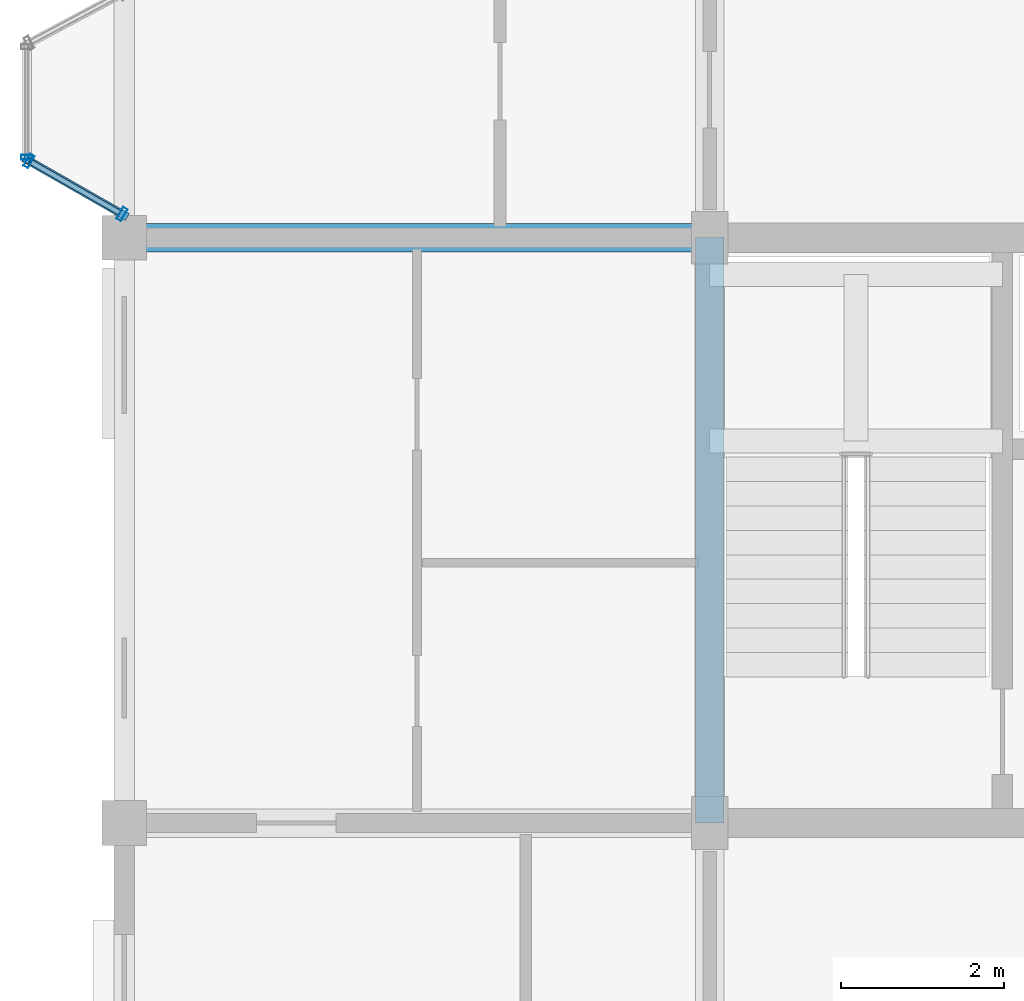
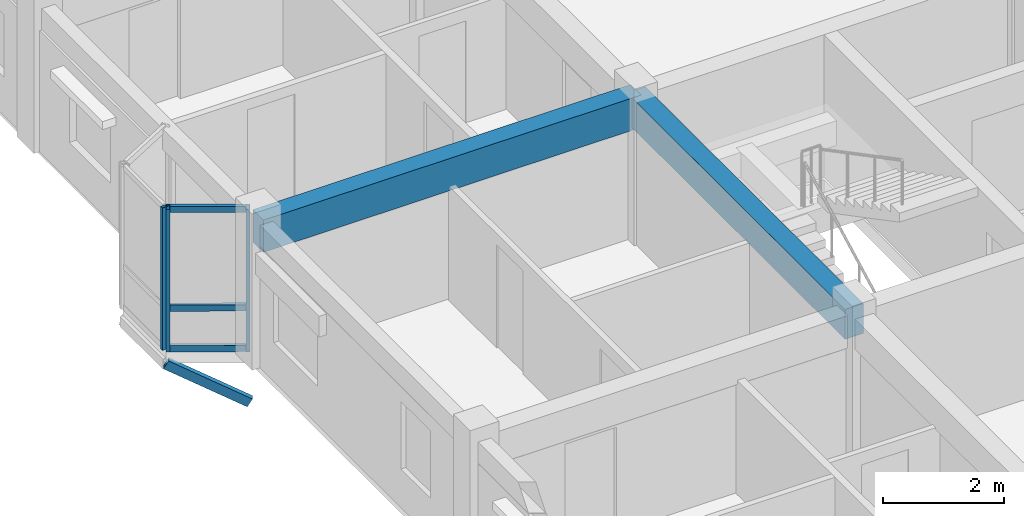
# One storey, part 4 of 77: 7 members, 2 beams, 2 elements without a shape of their own.
"""IFC4 building model written with IfcOpenShell, lengths in metres."""

from ifc_helpers import new_model, si_unit, direction, frame, origin, origin_2d, place, context, subcontext, project, spatial, rectangle, hollow_rectangle, extrude, material, layer, layer_set, material_profile, profile_set, type_object, element, aggregate, save


model = new_model("IFC4")

# Units and contexts
model_context = context("Model", 3, precision=1e-05, world=origin(), true_north=direction((0.0, 1.0)))
body_context = subcontext(model_context, "Body", "Model", "MODEL_VIEW")
ifc_project = project(units=[si_unit("LENGTHUNIT", "METRE"), si_unit("AREAUNIT", "SQUARE_METRE"), si_unit("VOLUMEUNIT", "CUBIC_METRE"), si_unit("PLANEANGLEUNIT", "RADIAN"), si_unit("MASSUNIT", "GRAM", prefix="KILO"), si_unit("THERMODYNAMICTEMPERATUREUNIT", "KELVIN"), si_unit("POWERUNIT", "WATT")], contexts=[model_context])

# Site, building, storey
site_placement = place(None, origin())
site = spatial("IfcSite", under=ifc_project, at=site_placement, CompositionType="ELEMENT")
building_placement = place(site_placement, origin())
building = spatial("IfcBuilding", under=site, at=building_placement, Name="Tavuni Mirador Residences", CompositionType="ELEMENT")
storey_placement = place(building_placement, frame((0.0, 0.0, 17.10009765625)))
storey = spatial("IfcBuildingStorey", under=building, at=storey_placement, Name="L05", CompositionType="ELEMENT", Elevation=17.10009765625)

# Beams
ifc_material_1 = material(Name="Precast concrete C40/50", Category="concrete")
ifc_material_profile_1 = material_profile(ifc_material_1, rectangle(XDim=0.35009765625, YDim=0.60009765625, at=origin_2d()), Name="PC 350x600", Category="concrete")
ifc_profile_set_1 = profile_set([ifc_material_profile_1], Name="Precast concrete C40/50")
beam_type_1 = type_object("IfcBeamType", Name="BT-B600", PredefinedType="BEAM", material=ifc_profile_set_1)
beam_1_placement = place(storey_placement, frame((10.800048828125, 14.39990234375, 2.56982421875), z_axis=(0.0, 1.0, 0.0), x_axis=(-1.0, 0.0, 0.0)))
element("IfcBeam", 1, at=beam_1_placement, inside=storey, type_object=beam_type_1, Name="BMY-BLK-A-L05-01-01", PredefinedType="BEAM", context=body_context, shape_type="SweptSolid", body=[
    extrude(rectangle(XDim=0.35009765625, YDim=0.60009765625, at=origin_2d()), origin(), (0.0, 0.0, 1.0), 7.2001953125),
])
ifc_material_profile_2 = material_profile(ifc_material_1, rectangle(XDim=0.35009765625, YDim=0.64990234375, at=origin_2d()), Name="PC 350x650", Category="concrete")
ifc_profile_set_2 = profile_set([ifc_material_profile_2], Name="Precast concrete C40/50")
beam_type_2 = type_object("IfcBeamType", Name="BT-B650", PredefinedType="BEAM", material=ifc_profile_set_2)
beam_2_placement = place(storey_placement, frame((3.60009765625, 21.60009765625, 2.544921875), z_axis=(1.0, 0.0, 0.0), x_axis=(0.0, 1.0, 0.0)))
element("IfcBeam", 2, at=beam_2_placement, inside=storey, type_object=beam_type_2, Name="BMX-BLK-A-L05-00-02", PredefinedType="BEAM", context=body_context, shape_type="SweptSolid", body=[
    extrude(rectangle(XDim=0.35009765625, YDim=0.64990234375, at=origin_2d()), origin(), (0.0, 0.0, 1.0), 7.199951171875),
])

# Curtain wall, member
ifc_material_2 = material(Name="Anodised aluminium", Category="aluminium")
ifc_layer_1 = layer(ifc_material_2, 0.1650390625, Name="Anodised aluminium", Category="aluminium")
ifc_layer_set_1 = layer_set([ifc_layer_1], Name="Anodised aluminium")
curtain_wall_type_1 = type_object("IfcCurtainWallType", Name="CWT-MIR-A", PredefinedType="NOTDEFINED", material=ifc_layer_set_1)
curtain_wall_1_placement = place(storey_placement, origin())
curtain_wall_1 = element("IfcCurtainWall", 3, at=curtain_wall_1_placement, inside=storey, type_object=curtain_wall_type_1, Name="CW-MIR-A-W2-L05-MF", PredefinedType="NOTDEFINED")
ifc_material_profile_3 = material_profile(ifc_material_2, hollow_rectangle(XDim=0.06005859375, YDim=0.139892578125, WallThickness=0.00390625, at=origin_2d()), Name="ALU 60x140x4.0", Category="aluminium")
ifc_profile_set_3 = profile_set([ifc_material_profile_3], Name="Anodised aluminium")
member_type_1 = type_object("IfcMemberType", Name="CWM-140", PredefinedType="MULLION", material=ifc_profile_set_3)
member_1_placement = place(storey_placement, frame((2.39990234375, 22.590087890625, 0.0), z_axis=(0.0, 0.0, 1.0), x_axis=(0.0, -1.0, 0.0)))
member_1 = element("IfcMember", 4, at=member_1_placement, type_object=member_type_1, Name="CW-01 mullion 2", PredefinedType="MULLION", context=body_context, shape_type="SweptSolid", body=[
    extrude(hollow_rectangle(XDim=0.06005859375, YDim=0.139892578125, WallThickness=0.00390625, at=origin_2d()), origin(), (0.0, 0.0, 1.0), 2.869873046875),
])
aggregate(curtain_wall_1, [member_1])

# Curtain wall, members
ifc_layer_2 = layer(ifc_material_2, 0.14990234375, Name="Anodised aluminium", Category="aluminium")
ifc_layer_set_2 = layer_set([ifc_layer_2], Name="Anodised aluminium")
curtain_wall_type_2 = type_object("IfcCurtainWallType", Name="CWT-MIR-B", PredefinedType="NOTDEFINED", material=ifc_layer_set_2)
curtain_wall_2_placement = place(storey_placement, origin())
curtain_wall_2 = element("IfcCurtainWall", 5, at=curtain_wall_2_placement, inside=storey, type_object=curtain_wall_type_2, Name="CW-MIR-A-W2-L05-M2", PredefinedType="NOTDEFINED")
ifc_material_profile_4 = material_profile(ifc_material_2, hollow_rectangle(XDim=0.06494140625, YDim=0.1650390625, WallThickness=0.00439453125, at=origin_2d()), Name="ALU 65x165x4.5", Category="aluminium")
ifc_profile_set_4 = profile_set([ifc_material_profile_4], Name="Anodised aluminium")
member_type_2 = type_object("IfcMemberType", Name="CWM-165", PredefinedType="MULLION", material=ifc_profile_set_4)
member_2_placement = place(storey_placement, frame((2.42822265625, 22.5439453125, 0.0), z_axis=(0.0, 0.0, 1.0), x_axis=(0.868465738194, -0.495749192217, 0.0)))
member_2 = element("IfcMember", 6, at=member_2_placement, type_object=member_type_2, Name="CW-02 mullion 1", PredefinedType="MULLION", context=body_context, shape_type="SweptSolid", body=[
    extrude(hollow_rectangle(XDim=0.06494140625, YDim=0.1650390625, WallThickness=0.00439453125, at=origin_2d()), origin(), (0.0, 0.0, 1.0), 2.869873046875),
])
member_3_placement = place(storey_placement, frame((3.57177734375, 21.89111328125, 0.0), z_axis=(0.0, 0.0, 1.0), x_axis=(0.868465738194, -0.495749192217, 0.0)))
member_3 = element("IfcMember", 7, at=member_3_placement, type_object=member_type_2, Name="CW-02 mullion 2", PredefinedType="MULLION", context=body_context, shape_type="SweptSolid", body=[
    extrude(hollow_rectangle(XDim=0.06494140625, YDim=0.1650390625, WallThickness=0.00439453125, at=origin_2d()), origin(), (0.0, 0.0, 1.0), 2.869873046875),
])
ifc_material_profile_5 = material_profile(ifc_material_2, hollow_rectangle(XDim=0.06494140625, YDim=0.125, WallThickness=0.00439453125, at=origin_2d()), Name="ALU 65x125x4.5", Category="aluminium")
ifc_profile_set_5 = profile_set([ifc_material_profile_5], Name="Anodised aluminium")
member_type_3 = type_object("IfcMemberType", Name="CWT-125", PredefinedType="USERDEFINED", material=ifc_profile_set_5)
member_4_placement = place(storey_placement, frame((2.45654296875, 22.52783203125, 0.032470703125), z_axis=(0.868411144788, -0.495844818071, 0.0), x_axis=(0.495844818071, 0.868411144788, 0.0)))
member_4 = element("IfcMember", 8, at=member_4_placement, type_object=member_type_3, Name="CW-02 transom 1.1", ObjectType="TRANSOM", PredefinedType="USERDEFINED", context=body_context, shape_type="SweptSolid", body=[
    extrude(hollow_rectangle(XDim=0.06494140625, YDim=0.125, WallThickness=0.00439453125, at=origin_2d()), origin(), (0.0, 0.0, 1.0), 1.251708984375),
])
member_5_placement = place(storey_placement, frame((2.45654296875, 22.52783203125, 0.849853515625), z_axis=(0.868411144788, -0.495844818071, 0.0), x_axis=(0.495844818071, 0.868411144788, 0.0)))
member_5 = element("IfcMember", 9, at=member_5_placement, type_object=member_type_3, Name="CW-02 transom 1.2", ObjectType="TRANSOM", PredefinedType="USERDEFINED", context=body_context, shape_type="SweptSolid", body=[
    extrude(hollow_rectangle(XDim=0.06494140625, YDim=0.125, WallThickness=0.00439453125, at=origin_2d()), origin(), (0.0, 0.0, 1.0), 1.251708984375),
])
member_6_placement = place(storey_placement, frame((2.45654296875, 22.52783203125, 2.83740234375), z_axis=(0.868411144788, -0.495844818071, 0.0), x_axis=(0.495844818071, 0.868411144788, 0.0)))
member_6 = element("IfcMember", 10, at=member_6_placement, type_object=member_type_3, Name="CW-02 transom 1.3", ObjectType="TRANSOM", PredefinedType="USERDEFINED", context=body_context, shape_type="SweptSolid", body=[
    extrude(hollow_rectangle(XDim=0.06494140625, YDim=0.125, WallThickness=0.00439453125, at=origin_2d()), origin(), (0.0, 0.0, 1.0), 1.251708984375),
])
aggregate(curtain_wall_2, [member_2, member_3, member_4, member_5, member_6])

# Member
ifc_material_3 = material(Name="Structural steel S355", Category="steel")
ifc_material_profile_6 = material_profile(ifc_material_3, hollow_rectangle(XDim=0.10009765625, YDim=0.179931640625, WallThickness=0.008056640625, at=origin_2d()), Name="RHS 180x100x8.0", Category="steel")
ifc_profile_set_6 = profile_set([ifc_material_profile_6], Name="Structural steel S355")
member_type_4 = type_object("IfcMemberType", Name="MT-BR-RHS180", PredefinedType="BRACE", material=ifc_profile_set_6)
member_7_placement = place(storey_placement, frame((3.60009765625, 21.875, -1.050048828125), z_axis=(-0.758659970715, 0.433034962942, 0.486739940528), x_axis=(-0.495720321961, -0.868482217662, 0.0)))
element("IfcMember", 11, at=member_7_placement, inside=storey, type_object=member_type_4, Name="MBRK-MIR-A-W2-L05-1", PredefinedType="BRACE", context=body_context, shape_type="SweptSolid", body=[
    extrude(hollow_rectangle(XDim=0.10009765625, YDim=0.179931640625, WallThickness=0.008056640625, at=origin_2d()), origin(), (0.0, 0.0, 1.0), 1.58203125),
])

save(model, "model.ifc")
